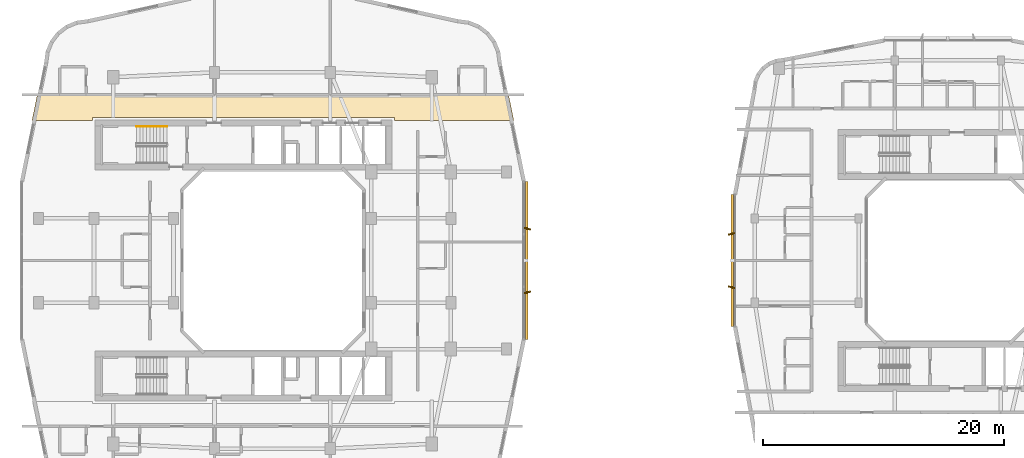
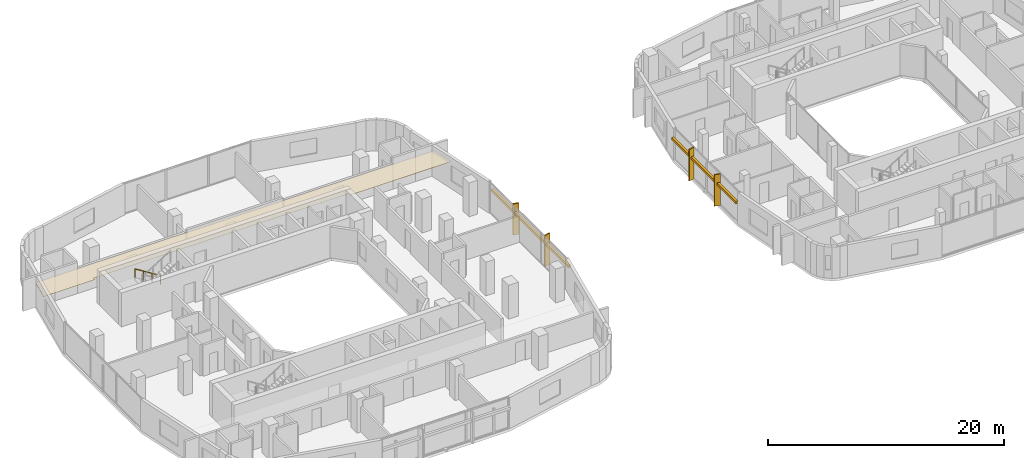
# One storey, part 24 of 25: 6 shading devices, 1 covering, 1 railing.
"""IFC4 building model written with IfcOpenShell, lengths in metres."""

from ifc_helpers import new_model, si_unit, derived_unit, direction, frame, origin, origin_2d, place, context, subcontext, project, spatial, polyline, rectangle, circle, outline, extrude, material, layer, layer_set, type_object, element, save


model = new_model("IFC4")

# Units and contexts
model_context = context("Model", 3, precision=1e-05, world=origin(), true_north=direction((0.0, 1.0)))
body_context = subcontext(model_context, "Body", "Model", "MODEL_VIEW")
ifc_project = project(units=[si_unit("LENGTHUNIT", "METRE"), si_unit("AREAUNIT", "SQUARE_METRE"), si_unit("VOLUMEUNIT", "CUBIC_METRE"), si_unit("PLANEANGLEUNIT", "RADIAN"), si_unit("MASSUNIT", "GRAM", prefix="KILO"), derived_unit("THERMALTRANSMITTANCEUNIT", [(si_unit("POWERUNIT", "WATT"), 1), (si_unit("LENGTHUNIT", "METRE"), -2), (si_unit("THERMODYNAMICTEMPERATUREUNIT", "KELVIN"), -1)])], contexts=[model_context])

# Site, building, storey
site_placement = place(None, origin())
site = spatial("IfcSite", under=ifc_project, at=site_placement, CompositionType="ELEMENT")
building_placement = place(site_placement, origin())
building = spatial("IfcBuilding", under=site, at=building_placement, Name="Kivonza Crest Hotel", CompositionType="ELEMENT")
storey_placement = place(building_placement, frame((0.0, 0.0, 83.5)))
storey = spatial("IfcBuildingStorey", under=building, at=storey_placement, Name="L22", CompositionType="ELEMENT", Elevation=83.5)

# Covering
ifc_material_1 = material(Name="Mineral-fibre acoustic ceiling tile", Category="gypsum")
ifc_layer = layer(ifc_material_1, 0.02490234375)
ifc_layer_set = layer_set([ifc_layer], Name="Mineral-fibre acoustic ceiling tile")
covering_type = type_object("IfcCoveringType", Name="CV-CEIL-ACOU", PredefinedType="CEILING", material=ifc_layer_set)
covering_placement = place(storey_placement, frame((0.0, 0.0, 2.449951171875)))
element("IfcCovering", 1, at=covering_placement, inside=storey, type_object=covering_type, Name="L22 Hotel North Guest Corridor suspended ceiling", PredefinedType="CEILING", context=body_context, shape_type="SweptSolid", body=[
    extrude(outline(polyline([(1.506103515625, 38.7900390625), (1.06396484375, 36.6201171875), (6.10009765625, 36.6201171875), (6.10009765625, 36.860107421875), (31.10009765625, 36.860107421875), (31.10009765625, 36.6201171875), (41.01611328125, 36.6201171875), (40.573974609375, 38.7900390625), (1.506103515625, 38.7900390625)])), origin(), (0.0, 0.0, 1.0), 0.025146484375),
])

# Railing
ifc_material_2 = material(Name="Brushed stainless steel handrail", Category="steel")
railing_type = type_object("IfcRailingType", Name="RL-HAND-900", PredefinedType="HANDRAIL", material=ifc_material_2)
railing_placement = place(storey_placement, frame((12.239990234375, 36.110107421875, 0.175048828125)))
element("IfcRailing", 2, at=railing_placement, inside=storey, type_object=railing_type, Name="L22 ST-T1-N stair handrail 1", PredefinedType="HANDRAIL", context=body_context, shape_type="SweptSolid", body=[
    extrude(circle(Radius=0.02392578125, at=origin_2d()), frame((0.0, 0.0, 0.8759765625), z_axis=(-0.848007534815, 0.0, 0.529984170421), x_axis=(0.0, -1.0, 0.0)), (0.0, 0.0, 1.0), 2.9716796875),
    extrude(circle(Radius=0.02099609375, at=origin_2d()), origin(), (0.0, 0.0, 1.0), 0.851806640625),
    extrude(circle(Radius=0.02099609375, at=origin_2d()), frame((-0.840087890625, 0.0, 0.52490234375)), (0.0, 0.0, 1.0), 0.851806640625),
    extrude(circle(Radius=0.02099609375, at=origin_2d()), frame((-1.679931640625, 0.0, 1.050048828125)), (0.0, 0.0, 1.0), 0.851806640625),
    extrude(circle(Radius=0.02099609375, at=origin_2d()), frame((-2.52001953125, 0.0, 1.574951171875)), (0.0, 0.0, 1.0), 0.851806640625),
])

# Shading devices
ifc_material_3 = material(Name="Kiln-fired Nairobi red-ochre terracotta", Category="masonry")
shading_device_type_1 = type_object("IfcShadingDeviceType", Name="SH-BAGUETTE-300", PredefinedType="USERDEFINED", material=ifc_material_3)
shading_device_1_placement = place(storey_placement, frame((42.080078125, 25.0, 2.1240234375), z_axis=(0.0, 0.0, 1.0), x_axis=(0.0, 1.0, 0.0)))
element("IfcShadingDevice", 3, at=shading_device_1_placement, inside=storey, type_object=shading_device_type_1, Name="L22 terracotta baguette screen CW-T1-L22-17", ObjectType="BAGUETTE", PredefinedType="USERDEFINED", context=body_context, shape_type="SweptSolid", body=[
    extrude(rectangle(XDim=13.080078125, YDim=0.219970703125, at=origin_2d()), origin(), (0.0, 0.0, 1.0), 0.260009765625),
])
shading_device_2_placement = place(storey_placement, frame((59.1201171875, 25.0, 2.14501953125), z_axis=(0.0, 0.0, 1.0), x_axis=(0.0, -1.0, 0.0)))
element("IfcShadingDevice", 4, at=shading_device_2_placement, inside=storey, type_object=shading_device_type_1, Name="L22 terracotta baguette screen CW-T2-L22-35", ObjectType="BAGUETTE", PredefinedType="USERDEFINED", context=body_context, shape_type="SweptSolid", body=[
    extrude(rectangle(XDim=10.919921875, YDim=0.219970703125, at=origin_2d()), origin(), (0.0, 0.0, 1.0), 0.260009765625),
])
ifc_material_4 = material(Name="Kiln-fired terracotta over extruded aluminium spine", Category="masonry")
shading_device_type_2 = type_object("IfcShadingDeviceType", Name="SH-FIN-550", PredefinedType="USERDEFINED", material=ifc_material_4)
for number, where, z_axis, x_axis, name in (
    (5, (42.139892578125, 22.360107421875, 0.0), (0.0, 0.0, 1.0), (-0.2419218956, 0.970295726276, 0.0), "L22 vertical solar shading fin CW-T1-L22-17-1"),
    (6, (42.139892578125, 27.639892578125, 0.0), (0.0, 0.0, 1.0), (0.2419218956, 0.970295726276, 0.0), "L22 vertical solar shading fin CW-T1-L22-17-2"),
):
    element("IfcShadingDevice", number, at=place(storey_placement, frame(where, z_axis=z_axis, x_axis=x_axis)), inside=storey, type_object=shading_device_type_2, Name=name, ObjectType="FIN", PredefinedType="USERDEFINED", context=body_context, shape_type="SweptSolid", body=[
        extrude(rectangle(XDim=0.1201171875, YDim=0.550048828125, at=origin_2d()), origin(), (0.0, 0.0, 1.0), 3.219970703125),
    ])
for number, where, z_axis, x_axis, name in (
    (7, (59.06005859375, 27.2080078125, 0.0), (0.0, 0.0, 1.0), (0.2419218956, -0.970295726276, 0.0), "L22 vertical solar shading fin CW-T2-L22-35-1"),
    (8, (59.06005859375, 22.7919921875, 0.0), (0.0, 0.0, 1.0), (-0.2419218956, -0.970295726276, 0.0), "L22 vertical solar shading fin CW-T2-L22-35-2"),
):
    element("IfcShadingDevice", number, at=place(storey_placement, frame(where, z_axis=z_axis, x_axis=x_axis)), inside=storey, type_object=shading_device_type_2, Name=name, ObjectType="FIN", PredefinedType="USERDEFINED", context=body_context, shape_type="SweptSolid", body=[
        extrude(rectangle(XDim=0.1201171875, YDim=0.550048828125, at=origin_2d()), origin(), (0.0, 0.0, 1.0), 3.25),
    ])

save(model, "model.ifc")
